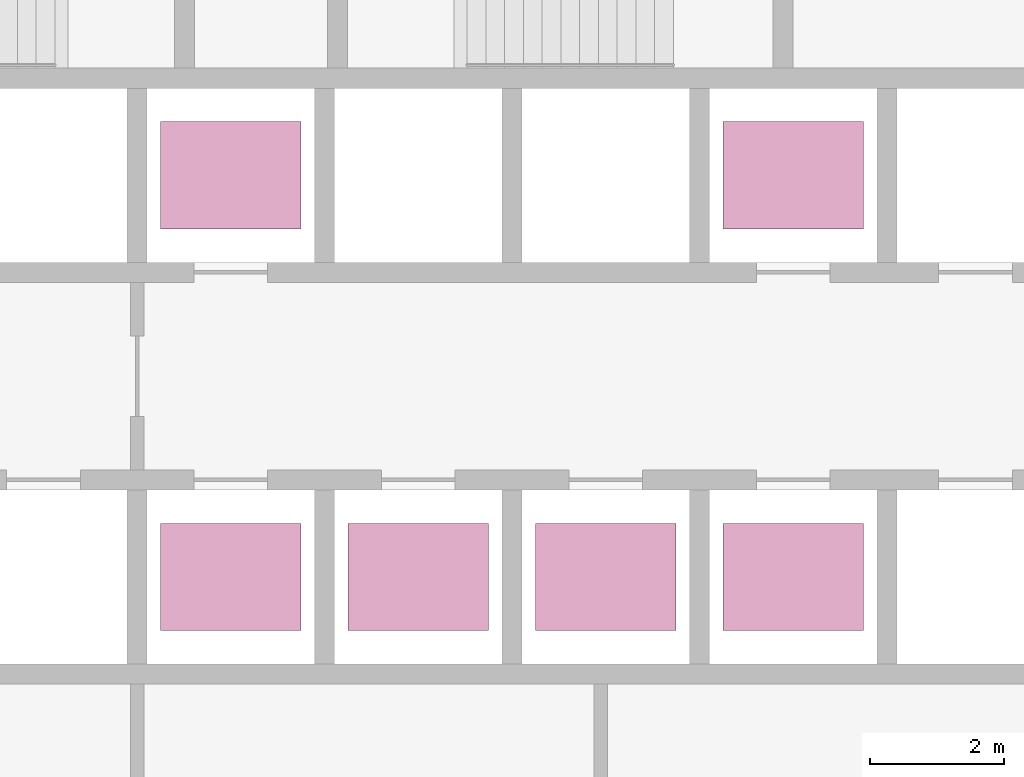
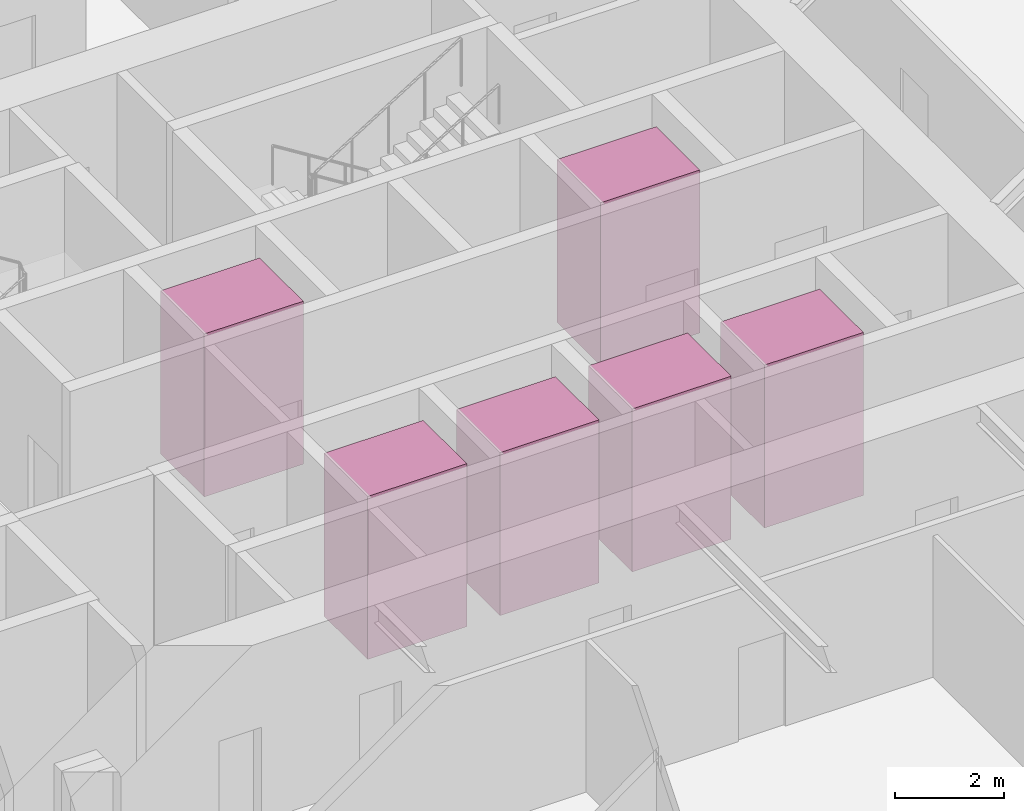
# One storey, part 28 of 29: 6 transport elements.
"""IFC4 building model written with IfcOpenShell, lengths in metres."""

from ifc_helpers import new_model, si_unit, direction, frame, origin, origin_2d, place, context, subcontext, project, spatial, rectangle, extrude, material, type_object, element, save


model = new_model("IFC4")

# Units and contexts
model_context = context("Model", 3, precision=1e-05, world=origin(), true_north=direction((0.0, 1.0)))
body_context = subcontext(model_context, "Body", "Model", "MODEL_VIEW")
ifc_project = project(units=[si_unit("LENGTHUNIT", "METRE"), si_unit("AREAUNIT", "SQUARE_METRE"), si_unit("VOLUMEUNIT", "CUBIC_METRE"), si_unit("PLANEANGLEUNIT", "RADIAN"), si_unit("MASSUNIT", "GRAM", prefix="KILO")], contexts=[model_context])

# Site, building, storey
site_placement = place(None, origin())
site = spatial("IfcSite", under=ifc_project, at=site_placement, CompositionType="ELEMENT")
building_placement = place(site_placement, origin())
building = spatial("IfcBuilding", under=site, at=building_placement, Name="Firuza Gate Tower and Library", CompositionType="ELEMENT")
storey_placement = place(building_placement, frame((0.0, 0.0, 48.39990234375)))
storey = spatial("IfcBuildingStorey", under=building, at=storey_placement, Name="L10", CompositionType="ELEMENT", Elevation=48.39990234375)

# Transport elements
ifc_material = material(Name="Stainless steel and glass", Category="steel")
transport_element_type = type_object("IfcTransportElementType", Name="Low-rise lift car 2100x1600", PredefinedType="ELEVATOR", material=ifc_material)
for number, where, z_axis, x_axis, name in (
    (1, (74.64990234375, 70.300048828125, 0.000244140625), (0.0, 0.0, 1.0), (1.0, 0.0, 0.0), "Low-rise lift LR1"),
    (2, (77.449951171875, 70.300048828125, 0.000244140625), (0.0, 0.0, 1.0), (1.0, 0.0, 0.0), "Low-rise lift LR2"),
    (3, (80.25, 70.300048828125, 0.000244140625), (0.0, 0.0, 1.0), (1.0, 0.0, 0.0), "Low-rise lift LR3"),
    (4, (74.64990234375, 76.300048828125, 0.000244140625), (0.0, 0.0, 1.0), (1.0, 0.0, 0.0), "Low-rise lift LR4"),
    (5, (83.050048828125, 70.300048828125, 0.000244140625), (0.0, 0.0, 1.0), (1.0, 0.0, 0.0), "Low-rise lift LR5"),
    (6, (83.050048828125, 76.300048828125, 0.000244140625), (0.0, 0.0, 1.0), (1.0, 0.0, 0.0), "Low-rise lift LR6"),
):
    element("IfcTransportElement", number, at=place(storey_placement, frame(where, z_axis=z_axis, x_axis=x_axis)), inside=storey, type_object=transport_element_type, Name=name, PredefinedType="ELEVATOR", context=body_context, shape_type="SweptSolid", body=[
        extrude(rectangle(XDim=2.10009765625, YDim=1.60009765625, at=origin_2d()), origin(), (0.0, 0.0, 1.0), 3.64990234375),
    ])

save(model, "model.ifc")
